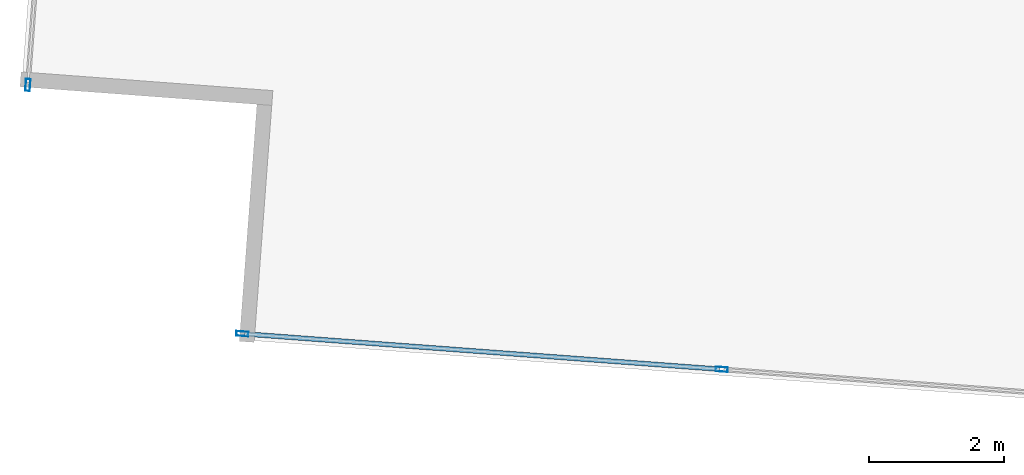
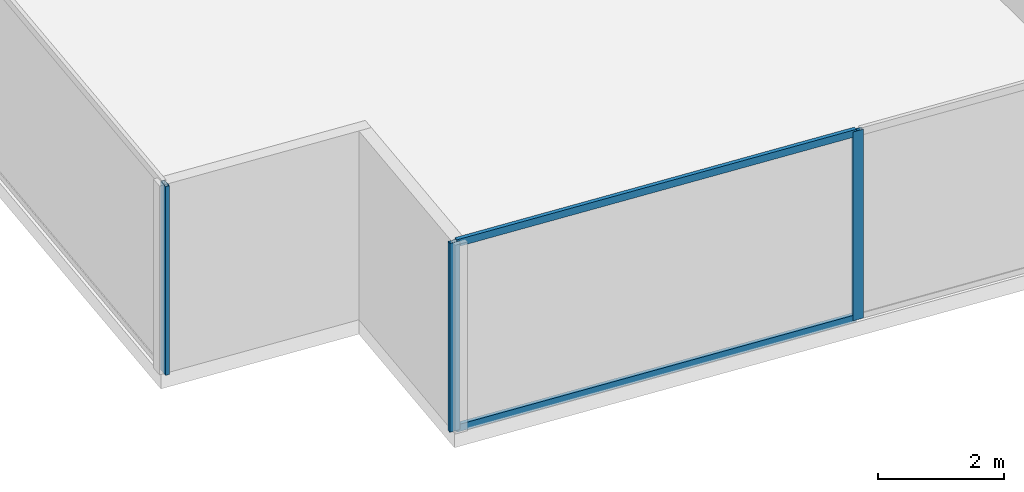
# One storey, part 2 of 30: 5 members, 2 elements without a shape of their own.
"""IFC4 building model written with IfcOpenShell, lengths in metres."""

from ifc_helpers import new_model, si_unit, direction, frame, origin, origin_2d, place, context, subcontext, project, spatial, hollow_rectangle, extrude, source, transform, mapped, material, material_profile, profile_set, type_object, type_shapes, element, aggregate, save


model = new_model("IFC4")

# Units and contexts
model_context = context("Model", 3, precision=1e-05, world=origin(), true_north=direction((0.0, 1.0)))
body_context = subcontext(model_context, "Body", "Model", "MODEL_VIEW")
ifc_project = project(units=[si_unit("LENGTHUNIT", "METRE"), si_unit("AREAUNIT", "SQUARE_METRE"), si_unit("VOLUMEUNIT", "CUBIC_METRE"), si_unit("PLANEANGLEUNIT", "RADIAN"), si_unit("MASSUNIT", "GRAM", prefix="KILO")], contexts=[model_context])

# Site, building, storey
site_placement = place(None, origin())
site = spatial("IfcSite", under=ifc_project, at=site_placement, CompositionType="ELEMENT")
building_placement = place(site_placement, origin())
building = spatial("IfcBuilding", under=site, at=building_placement, Name="Krantzveldt Concourse Tower", CompositionType="ELEMENT")
storey_placement = place(building_placement, frame((0.0, 0.0, 52.64990234375)))
storey = spatial("IfcBuildingStorey", under=building, at=storey_placement, Name="L12", CompositionType="ELEMENT", Elevation=52.64990234375)

# Curtain wall, members
ifc_material = material(Name="Anodised aluminium 6063-T6", Category="aluminium")
curtain_wall_type = type_object("IfcCurtainWallType", Name="CW2", PredefinedType="USERDEFINED", material=ifc_material)
curtain_wall_1_placement = place(storey_placement, origin())
curtain_wall_1 = element("IfcCurtainWall", 1, at=curtain_wall_1_placement, inside=storey, type_object=curtain_wall_type, Name="CW-L12-F04", ObjectType="UNITISED CURTAIN WALL", PredefinedType="USERDEFINED")
ifc_material_profile_1 = material_profile(ifc_material, hollow_rectangle(XDim=0.070068359375, YDim=0.139892578125, WallThickness=0.0048828125, at=origin_2d()), Name="Anodised aluminium 6063-T6", Category="aluminium")
ifc_profile_set_1 = profile_set([ifc_material_profile_1], Name="Anodised aluminium 6063-T6 - ALU-TRAN 140x70x5")
member_type_1 = type_object("IfcMemberType", Name="CW-TRN-150", PredefinedType="USERDEFINED", material=ifc_profile_set_1)
shared_shape_1 = source(origin(), body_context, "Body", "SweptSolid", [
    extrude(hollow_rectangle(XDim=0.070068359375, YDim=0.139892578125, WallThickness=0.0048828125, at=origin_2d()), origin(), (0.0, 0.0, 1.0), 7.0615234375),
])
type_shapes(member_type_1, [shared_shape_1])
member_1_placement = place(storey_placement, frame((12.782958984375, 3.446533203125, 0.03515625), z_axis=(0.997251599865, -0.074089449766, 0.0), x_axis=(0.074089449766, 0.997251599865, 0.0)))
member_1 = element("IfcMember", 2, at=member_1_placement, type_object=member_type_1, Name="CW-Z12 transom 1.1", ObjectType="TRANSOM", PredefinedType="USERDEFINED", context=body_context, shape_type="MappedRepresentation", body=[
    mapped(shared_shape_1, transform((0.0, 0.0, 0.0), x_axis=(1.0, 0.0, 0.0), y_axis=(0.0, 1.0, 0.0), z_axis=(0.0, 0.0, 1.0), scale=1.0)),
])
member_2_placement = place(storey_placement, frame((12.782958984375, 3.446533203125, 3.635009765625), z_axis=(0.997251599865, -0.074089449766, 0.0), x_axis=(0.074089449766, 0.997251599865, 0.0)))
member_2 = element("IfcMember", 3, at=member_2_placement, type_object=member_type_1, Name="CW-Z12 transom 1.2", ObjectType="TRANSOM", PredefinedType="USERDEFINED", context=body_context, shape_type="MappedRepresentation", body=[
    mapped(shared_shape_1, transform((0.0, 0.0, 0.0), x_axis=(1.0, 0.0, 0.0), y_axis=(0.0, 1.0, 0.0), z_axis=(0.0, 0.0, 1.0), scale=1.0)),
])

# Curtain wall, member
curtain_wall_2_placement = place(storey_placement, origin())
curtain_wall_2 = element("IfcCurtainWall", 4, at=curtain_wall_2_placement, inside=storey, type_object=curtain_wall_type, Name="CW-L12-F01", ObjectType="UNITISED CURTAIN WALL", PredefinedType="USERDEFINED")
ifc_material_profile_2 = material_profile(ifc_material, hollow_rectangle(XDim=0.070068359375, YDim=0.179931640625, WallThickness=0.0048828125, at=origin_2d()), Name="Anodised aluminium 6063-T6", Category="aluminium")
ifc_profile_set_2 = profile_set([ifc_material_profile_2], Name="Anodised aluminium 6063-T6 - ALU-MULL 180x70x5")
member_type_2 = type_object("IfcMemberType", Name="CW-MUL-180", PredefinedType="MULLION", material=ifc_profile_set_2)
shared_shape_2 = source(origin(), body_context, "Body", "SweptSolid", [
    extrude(hollow_rectangle(XDim=0.070068359375, YDim=0.179931640625, WallThickness=0.0048828125, at=origin_2d()), origin(), (0.0, 0.0, 1.0), 3.670166015625),
])
type_shapes(member_type_2, [shared_shape_2])
member_3_placement = place(storey_placement, frame((9.56787109375, 7.14013671875, 0.0), z_axis=(0.0, 0.0, 1.0), x_axis=(0.997250176902, -0.07410860051, 0.0)))
member_3 = element("IfcMember", 5, at=member_3_placement, type_object=member_type_2, Name="CW-Z12 mullion 7", PredefinedType="MULLION", context=body_context, shape_type="MappedRepresentation", body=[
    mapped(shared_shape_2, transform((0.0, 0.0, 0.0), x_axis=(1.0, 0.0, 0.0), y_axis=(0.0, 1.0, 0.0), z_axis=(0.0, 0.0, 1.0), scale=1.0)),
])
aggregate(curtain_wall_2, [member_3])

# Member
member_4_placement = place(storey_placement, frame((12.748046875, 3.44921875, 0.0), z_axis=(0.0, 0.0, 1.0), x_axis=(0.07410860051, 0.997250176902, 0.0)))
member_4 = element("IfcMember", 6, at=member_4_placement, type_object=member_type_2, Name="CW-Z12 mullion 1", PredefinedType="MULLION", context=body_context, shape_type="MappedRepresentation", body=[
    mapped(shared_shape_2, transform((0.0, 0.0, 0.0), x_axis=(1.0, 0.0, 0.0), y_axis=(0.0, 1.0, 0.0), z_axis=(0.0, 0.0, 1.0), scale=1.0)),
])

member_5_placement = place(storey_placement, frame((19.860107421875, 2.920654296875, 0.0), z_axis=(0.0, 0.0, 1.0), x_axis=(0.07410860051, 0.997250176902, 0.0)))
member_5 = element("IfcMember", 7, at=member_5_placement, type_object=member_type_2, Name="CW-Z12 mullion 2", PredefinedType="MULLION", context=body_context, shape_type="MappedRepresentation", body=[
    mapped(shared_shape_2, transform((0.0, 0.0, 0.0), x_axis=(1.0, 0.0, 0.0), y_axis=(0.0, 1.0, 0.0), z_axis=(0.0, 0.0, 1.0), scale=1.0)),
])

aggregate(curtain_wall_1, [member_4, member_5, member_1, member_2])

save(model, "model.ifc")
